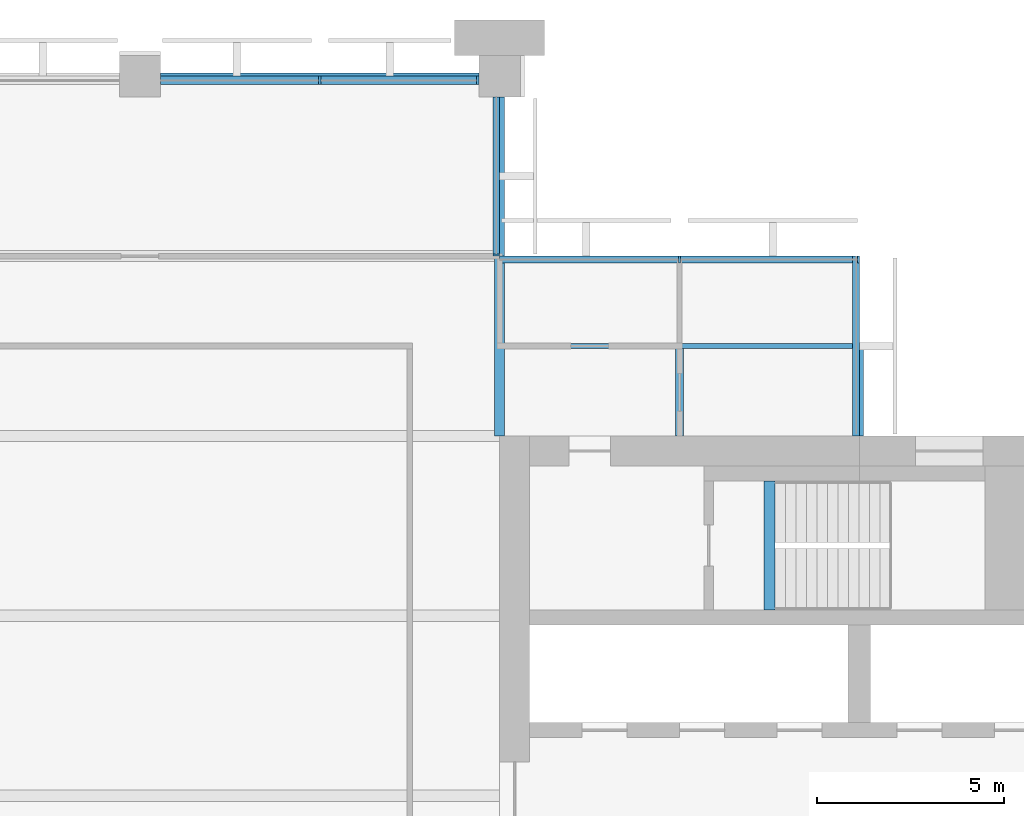
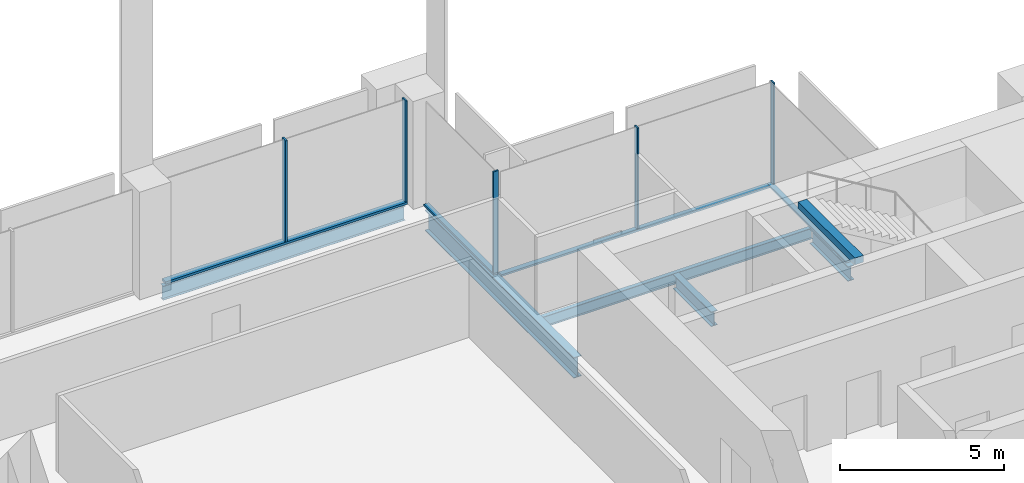
# One storey, part 6 of 13: 9 members, 6 beams, 4 elements without a shape of their own.
"""IFC4 building model written with IfcOpenShell, lengths in metres."""

from ifc_helpers import new_model, si_unit, direction, frame, origin, origin_2d, place, context, subcontext, project, spatial, rectangle, i_section, extrude, material, material_profile, profile_set, type_object, element, aggregate, save


model = new_model("IFC4")

# Units and contexts
model_context = context("Model", 3, precision=1e-05, world=origin(), true_north=direction((0.0, 1.0)))
body_context = subcontext(model_context, "Body", "Model", "MODEL_VIEW")
ifc_project = project(units=[si_unit("LENGTHUNIT", "METRE"), si_unit("AREAUNIT", "SQUARE_METRE"), si_unit("VOLUMEUNIT", "CUBIC_METRE"), si_unit("PLANEANGLEUNIT", "RADIAN"), si_unit("MASSUNIT", "GRAM", prefix="KILO")], contexts=[model_context])

# Site, building, storey
site_placement = place(None, origin())
site = spatial("IfcSite", under=ifc_project, at=site_placement, CompositionType="ELEMENT")
building_placement = place(site_placement, origin())
building = spatial("IfcBuilding", under=site, at=building_placement, Name="Baori Bourse Tower", CompositionType="ELEMENT")
storey_placement = place(building_placement, frame((0.0, 0.0, 213.199951171875)))
storey = spatial("IfcBuildingStorey", under=building, at=storey_placement, Name="L46", CompositionType="ELEMENT", Elevation=213.199951171875)

# Curtain wall, members
ifc_material_1 = material(Name="Pale anodised aluminium", Category="aluminium")
curtain_wall_type_1 = type_object("IfcCurtainWallType", Name="CW2 Curtain wall", PredefinedType="NOTDEFINED", material=ifc_material_1)
curtain_wall_1_placement = place(storey_placement, origin())
curtain_wall_1 = element("IfcCurtainWall", 1, at=curtain_wall_1_placement, inside=storey, type_object=curtain_wall_type_1, Name="Curtain wall CW2 L46 2", PredefinedType="NOTDEFINED")
ifc_material_2 = material(Name="Pale anodised aluminium", Category="aluminium")
ifc_material_profile_1 = material_profile(ifc_material_2, rectangle(XDim=0.179931640625, YDim=0.054931640625, at=origin_2d()), Name="Mullion 55x180")
ifc_profile_set_1 = profile_set([ifc_material_profile_1], Name="Pale anodised aluminium")
member_type_1 = type_object("IfcMemberType", Name="CW2 Curtain wall mullion", PredefinedType="MULLION", material=ifc_profile_set_1)
member_1_placement = place(storey_placement, frame((47.972412109375, 43.110107421875, 0.070068359375), z_axis=(0.0, 0.0, 1.0), x_axis=(0.0, -1.0, 0.0)))
member_1 = element("IfcMember", 2, at=member_1_placement, type_object=member_type_1, Name="Curtain wall CW2 mullion", PredefinedType="MULLION", context=body_context, shape_type="SweptSolid", body=[
    extrude(rectangle(XDim=0.179931640625, YDim=0.054931640625, at=origin_2d()), origin(), (0.0, 0.0, 1.0), 3.77001953125),
])
member_2_placement = place(storey_placement, frame((43.199951171875, 43.110107421875, 0.070068359375), z_axis=(0.0, 0.0, 1.0), x_axis=(0.0, -1.0, 0.0)))
member_2 = element("IfcMember", 3, at=member_2_placement, type_object=member_type_1, Name="Curtain wall CW2 mullion", PredefinedType="MULLION", context=body_context, shape_type="SweptSolid", body=[
    extrude(rectangle(XDim=0.179931640625, YDim=0.054931640625, at=origin_2d()), origin(), (0.0, 0.0, 1.0), 3.77001953125),
])

# Curtain wall, member
curtain_wall_2_placement = place(storey_placement, origin())
curtain_wall_2 = element("IfcCurtainWall", 4, at=curtain_wall_2_placement, inside=storey, type_object=curtain_wall_type_1, Name="Curtain wall CW2 L46 3", PredefinedType="NOTDEFINED")
member_3_placement = place(storey_placement, frame((38.31005859375, 43.2275390625, 0.070068359375), z_axis=(0.0, 0.0, 1.0), x_axis=(-1.0, 0.0, 0.0)))
member_3 = element("IfcMember", 5, at=member_3_placement, type_object=member_type_1, Name="Curtain wall CW2 mullion", PredefinedType="MULLION", context=body_context, shape_type="SweptSolid", body=[
    extrude(rectangle(XDim=0.179931640625, YDim=0.054931640625, at=origin_2d()), origin(), (0.0, 0.0, 1.0), 3.77001953125),
])

curtain_wall_3_placement = place(storey_placement, origin())
curtain_wall_3 = element("IfcCurtainWall", 6, at=curtain_wall_3_placement, inside=storey, type_object=curtain_wall_type_1, Name="Curtain wall CW2 L46 1", PredefinedType="NOTDEFINED")
ifc_material_3 = material(Name="Pale anodised aluminium", Category="aluminium")
ifc_material_profile_2 = material_profile(ifc_material_3, rectangle(XDim=0.179931640625, YDim=0.070068359375, at=origin_2d()), Name="Transom 70x180")
ifc_profile_set_2 = profile_set([ifc_material_profile_2], Name="Pale anodised aluminium")
member_type_2 = type_object("IfcMemberType", Name="CW2 Curtain wall transom", PredefinedType="USERDEFINED", material=ifc_profile_set_2)
member_4_placement = place(storey_placement, frame((47.909912109375, 38.39990234375, 0.03515625), z_axis=(0.0, 1.0, 0.0), x_axis=(-1.0, 0.0, 0.0)))
member_4 = element("IfcMember", 7, at=member_4_placement, type_object=member_type_2, Name="Curtain wall CW2 sill rail", ObjectType="TRANSOM", PredefinedType="USERDEFINED", context=body_context, shape_type="SweptSolid", body=[
    extrude(rectangle(XDim=0.179931640625, YDim=0.070068359375, at=origin_2d()), origin(), (0.0, 0.0, 1.0), 4.800048828125),
])
aggregate(curtain_wall_3, [member_4])

# Member
member_5_placement = place(storey_placement, frame((48.0, 43.110107421875, 0.03515625), z_axis=(-1.0, 0.0, 0.0), x_axis=(0.0, -1.0, 0.0)))
member_5 = element("IfcMember", 8, at=member_5_placement, type_object=member_type_2, Name="Curtain wall CW2 sill rail", ObjectType="TRANSOM", PredefinedType="USERDEFINED", context=body_context, shape_type="SweptSolid", body=[
    extrude(rectangle(XDim=0.179931640625, YDim=0.070068359375, at=origin_2d()), origin(), (0.0, 0.0, 1.0), 9.60009765625),
])

aggregate(curtain_wall_1, [member_5, member_1, member_2])

member_6_placement = place(storey_placement, frame((38.31005859375, 43.199951171875, 0.03515625), z_axis=(0.0, 1.0, 0.0), x_axis=(-1.0, 0.0, 0.0)))
member_6 = element("IfcMember", 9, at=member_6_placement, type_object=member_type_2, Name="Curtain wall CW2 sill rail", ObjectType="TRANSOM", PredefinedType="USERDEFINED", context=body_context, shape_type="SweptSolid", body=[
    extrude(rectangle(XDim=0.179931640625, YDim=0.070068359375, at=origin_2d()), origin(), (0.0, 0.0, 1.0), 4.25),
])

aggregate(curtain_wall_2, [member_6, member_3])

# Curtain wall, members
ifc_material_4 = material(Name="Pale anodised aluminium", Category="aluminium")
curtain_wall_type_2 = type_object("IfcCurtainWallType", Name="CW5 Curtain wall", PredefinedType="NOTDEFINED", material=ifc_material_4)
curtain_wall_4_placement = place(storey_placement, origin())
curtain_wall_4 = element("IfcCurtainWall", 10, at=curtain_wall_4_placement, inside=storey, type_object=curtain_wall_type_2, Name="Curtain wall CW5 L46 4", PredefinedType="NOTDEFINED")
ifc_material_5 = material(Name="Pale anodised aluminium", Category="aluminium")
ifc_material_profile_3 = material_profile(ifc_material_5, rectangle(XDim=0.219970703125, YDim=0.06494140625, at=origin_2d()), Name="Mullion 65x220")
ifc_profile_set_3 = profile_set([ifc_material_profile_3], Name="Pale anodised aluminium")
member_type_3 = type_object("IfcMemberType", Name="CW5 Curtain wall mullion", PredefinedType="MULLION", material=ifc_profile_set_3)
member_7_placement = place(storey_placement, frame((37.8173828125, 47.889892578125, 0.0849609375), z_axis=(0.0, 0.0, 1.0), x_axis=(0.0, -1.0, 0.0)))
member_7 = element("IfcMember", 11, at=member_7_placement, type_object=member_type_3, Name="Curtain wall CW5 mullion", PredefinedType="MULLION", context=body_context, shape_type="SweptSolid", body=[
    extrude(rectangle(XDim=0.219970703125, YDim=0.06494140625, at=origin_2d()), origin(), (0.0, 0.0, 1.0), 3.755126953125),
])
member_8_placement = place(storey_placement, frame((33.60009765625, 47.889892578125, 0.0849609375), z_axis=(0.0, 0.0, 1.0), x_axis=(0.0, -1.0, 0.0)))
member_8 = element("IfcMember", 12, at=member_8_placement, type_object=member_type_3, Name="Curtain wall CW5 mullion", PredefinedType="MULLION", context=body_context, shape_type="SweptSolid", body=[
    extrude(rectangle(XDim=0.219970703125, YDim=0.06494140625, at=origin_2d()), origin(), (0.0, 0.0, 1.0), 3.755126953125),
])
ifc_material_6 = material(Name="Pale anodised aluminium", Category="aluminium")
ifc_material_profile_4 = material_profile(ifc_material_6, rectangle(XDim=0.219970703125, YDim=0.0849609375, at=origin_2d()), Name="Transom 85x220")
ifc_profile_set_4 = profile_set([ifc_material_profile_4], Name="Pale anodised aluminium")
member_type_4 = type_object("IfcMemberType", Name="CW5 Curtain wall transom", PredefinedType="USERDEFINED", material=ifc_profile_set_4)
member_9_placement = place(storey_placement, frame((37.85009765625, 47.889892578125, 0.04248046875), z_axis=(-1.0, 0.0, 0.0), x_axis=(0.0, -1.0, 0.0)))
member_9 = element("IfcMember", 13, at=member_9_placement, type_object=member_type_4, Name="Curtain wall CW5 sill rail", ObjectType="TRANSOM", PredefinedType="USERDEFINED", context=body_context, shape_type="SweptSolid", body=[
    extrude(rectangle(XDim=0.219970703125, YDim=0.0849609375, at=origin_2d()), origin(), (0.0, 0.0, 1.0), 8.5),
])
aggregate(curtain_wall_4, [member_9, member_7, member_8])

# Beams
ifc_material_7 = material(Name="Steel A992 Gr 50", Category="steel")
ifc_material_profile_5 = material_profile(ifc_material_7, i_section(OverallWidth=0.21240234375, OverallDepth=0.54345703125, WebThickness=0.01318359375, FlangeThickness=0.021240234375, at=origin_2d()), Name="W21x83")
ifc_profile_set_5 = profile_set([ifc_material_profile_5], Name="Steel A992 Gr 50")
beam_type_1 = type_object("IfcBeamType", Name="Core bracket W21x83", PredefinedType="BEAM", material=ifc_profile_set_5)
for number, where, z_axis, x_axis, name in (
    (14, (43.199951171875, 38.39990234375, -0.431640625), (0.0, 1.0, 0.0), (-1.0, 0.0, 0.0), "Core bracket L46"),
    (15, (48.0, 38.39990234375, -0.431640625), (0.0, 1.0, 0.0), (-1.0, 0.0, 0.0), "Core bracket L46"),
):
    element("IfcBeam", number, at=place(storey_placement, frame(where, z_axis=z_axis, x_axis=x_axis)), inside=storey, type_object=beam_type_1, Name=name, PredefinedType="BEAM", context=body_context, shape_type="SweptSolid", body=[
        extrude(i_section(OverallWidth=0.21240234375, OverallDepth=0.54345703125, WebThickness=0.01318359375, FlangeThickness=0.021240234375, at=origin_2d()), origin(), (0.0, 0.0, 1.0), 2.329833984375),
    ])
ifc_material_8 = material(Name="Steel A992 Gr 50", Category="steel")
ifc_material_profile_6 = material_profile(ifc_material_8, i_section(OverallWidth=0.1650390625, OverallDepth=0.52587890625, WebThickness=0.0087890625, FlangeThickness=0.011474609375, at=origin_2d()), Name="W21x44")
ifc_profile_set_6 = profile_set([ifc_material_profile_6], Name="Steel A992 Gr 50")
beam_type_2 = type_object("IfcBeamType", Name="Edge beam W21x44", PredefinedType="BEAM", material=ifc_profile_set_6)
beam_1_placement = place(storey_placement, frame((29.35009765625, 48.0, -0.4228515625), z_axis=(1.0, 0.0, 0.0), x_axis=(0.0, 1.0, 0.0)))
element("IfcBeam", 16, at=beam_1_placement, inside=storey, type_object=beam_type_2, Name="Edge beam L46", PredefinedType="BEAM", context=body_context, shape_type="SweptSolid", body=[
    extrude(i_section(OverallWidth=0.1650390625, OverallDepth=0.52587890625, WebThickness=0.0087890625, FlangeThickness=0.011474609375, at=origin_2d()), origin(), (0.0, 0.0, 1.0), 8.5),
])
ifc_material_9 = material(Name="Steel A992 Gr 50", Category="steel")
ifc_material_profile_7 = material_profile(ifc_material_9, i_section(OverallWidth=0.2666015625, OverallDepth=0.76953125, WebThickness=0.015625, FlangeThickness=0.025390625, at=origin_2d()), Name="W30x132")
ifc_profile_set_7 = profile_set([ifc_material_profile_7], Name="Steel A992 Gr 50")
beam_type_3 = type_object("IfcBeamType", Name="Girder W30x132", PredefinedType="BEAM", material=ifc_profile_set_7)
beam_2_placement = place(storey_placement, frame((38.39990234375, 38.39990234375, -0.544677734375), z_axis=(0.0, 1.0, 0.0), x_axis=(-1.0, 0.0, 0.0)))
element("IfcBeam", 17, at=beam_2_placement, inside=storey, type_object=beam_type_3, Name="Girder L46", PredefinedType="BEAM", context=body_context, shape_type="SweptSolid", body=[
    extrude(i_section(OverallWidth=0.2666015625, OverallDepth=0.76953125, WebThickness=0.015625, FlangeThickness=0.025390625, at=origin_2d()), origin(), (0.0, 0.0, 1.0), 9.050048828125),
])
ifc_material_10 = material(Name="Concrete f'c 50 MPa", Category="concrete")
ifc_material_profile_8 = material_profile(ifc_material_10, rectangle(XDim=0.300048828125, YDim=0.25, at=origin_2d()), Name="RC 300x250")
ifc_profile_set_8 = profile_set([ifc_material_profile_8], Name="Concrete f'c 50 MPa")
beam_type_4 = type_object("IfcBeamType", Name="Stair nib beam RC 300x250", PredefinedType="BEAM", material=ifc_profile_set_8)
beam_3_placement = place(storey_placement, frame((45.60009765625, 33.75, 3.715087890625), z_axis=(0.0, 1.0, 0.0), x_axis=(-1.0, 0.0, 0.0)))
element("IfcBeam", 18, at=beam_3_placement, inside=storey, type_object=beam_type_4, Name="Stair EB nib beam L47", PredefinedType="BEAM", context=body_context, shape_type="SweptSolid", body=[
    extrude(rectangle(XDim=0.300048828125, YDim=0.25, at=origin_2d()), origin(), (0.0, 0.0, 1.0), 3.449951171875),
])
ifc_material_11 = material(Name="Steel A992 Gr 50", Category="steel")
ifc_material_profile_9 = material_profile(ifc_material_11, i_section(OverallWidth=0.140380859375, OverallDepth=0.40380859375, WebThickness=0.007080078125, FlangeThickness=0.01123046875, at=origin_2d()), Name="W16x31")
ifc_profile_set_9 = profile_set([ifc_material_profile_9], Name="Steel A992 Gr 50")
beam_type_5 = type_object("IfcBeamType", Name="Trimmer beam W16x31", PredefinedType="BEAM", material=ifc_profile_set_9)
beam_4_placement = place(storey_placement, frame((38.533447265625, 40.800048828125, -0.36181640625), z_axis=(1.0, 0.0, 0.0), x_axis=(0.0, 1.0, 0.0)))
element("IfcBeam", 19, at=beam_4_placement, inside=storey, type_object=beam_type_5, Name="Trimmer beam L46", PredefinedType="BEAM", context=body_context, shape_type="SweptSolid", body=[
    extrude(i_section(OverallWidth=0.140380859375, OverallDepth=0.40380859375, WebThickness=0.007080078125, FlangeThickness=0.01123046875, at=origin_2d()), origin(), (0.0, 0.0, 1.0), 9.466552734375),
])

save(model, "model.ifc")
